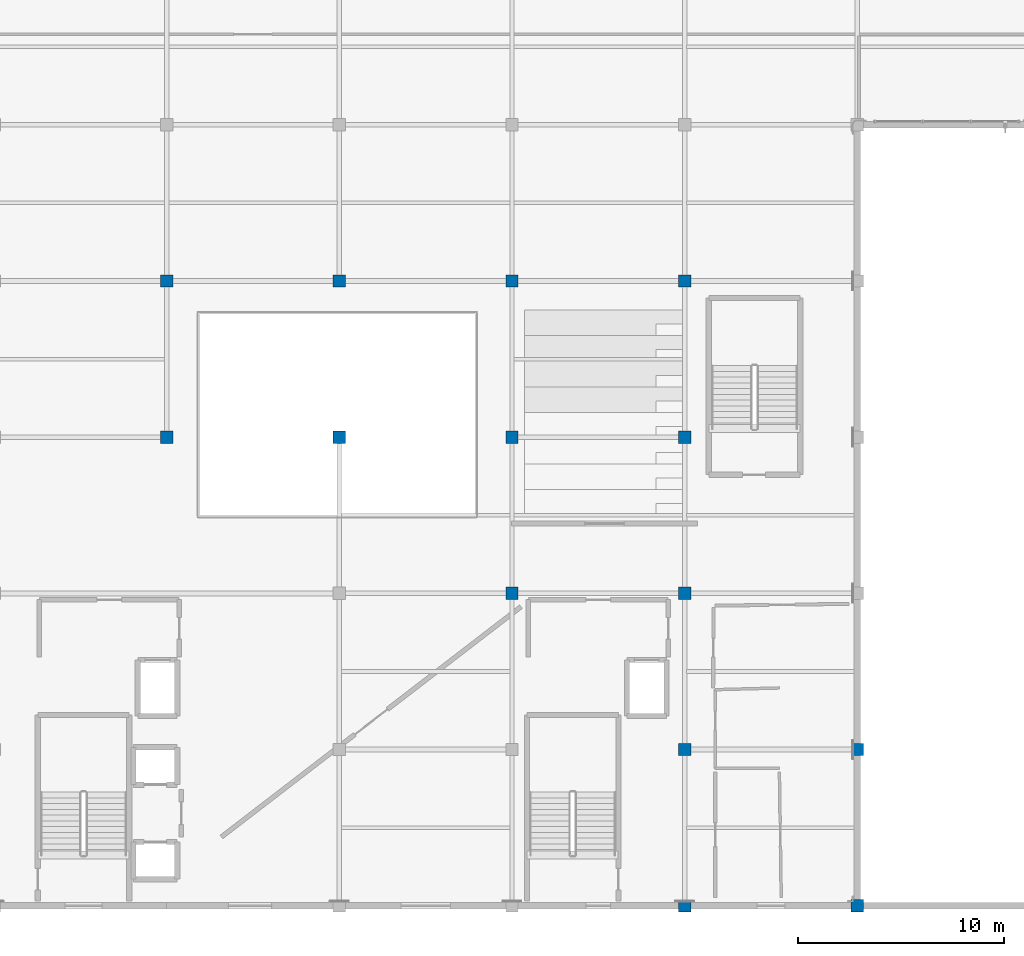
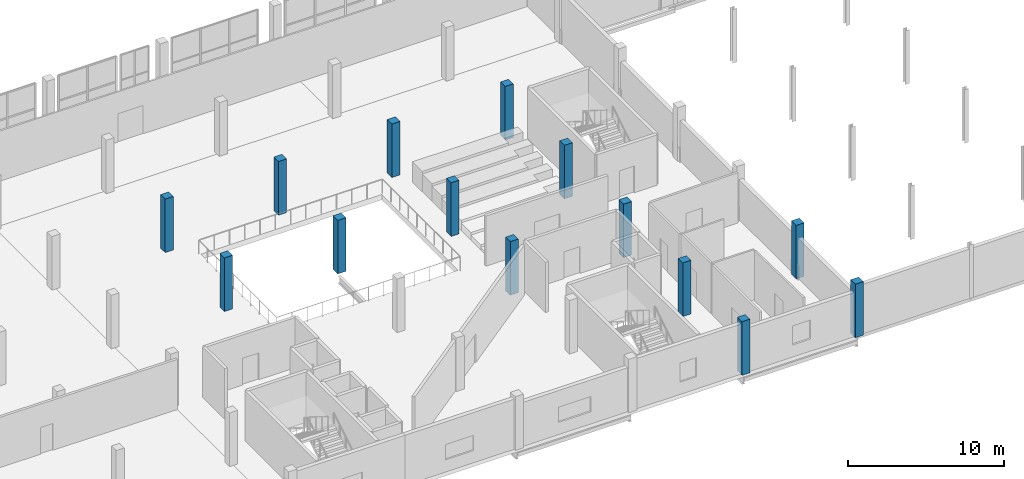
# One storey, part 4 of 217: 14 columns.
"""IFC4 building model written with IfcOpenShell, lengths in metres."""

from ifc_helpers import new_model, si_unit, direction, frame, origin, origin_2d, place, context, subcontext, project, spatial, rectangle, extrude, material, material_profile, profile_set, type_object, element, save


model = new_model("IFC4")

# Units and contexts
model_context = context("Model", 3, precision=1e-05, world=origin(), true_north=direction((0.0, 1.0)))
body_context = subcontext(model_context, "Body", "Model", "MODEL_VIEW")
ifc_project = project(units=[si_unit("LENGTHUNIT", "METRE"), si_unit("AREAUNIT", "SQUARE_METRE"), si_unit("VOLUMEUNIT", "CUBIC_METRE"), si_unit("PLANEANGLEUNIT", "RADIAN"), si_unit("MASSUNIT", "GRAM", prefix="KILO")], contexts=[model_context])

# Site, building, storey
site_placement = place(None, origin())
site = spatial("IfcSite", under=ifc_project, at=site_placement, CompositionType="ELEMENT")
building_placement = place(site_placement, origin())
building = spatial("IfcBuilding", under=site, at=building_placement, Name="Zuvorla Pavilion Media Centre", CompositionType="ELEMENT")
storey_placement = place(building_placement, frame((0.0, 0.0, 9.60009765625)))
storey = spatial("IfcBuildingStorey", under=building, at=storey_placement, Name="L02", CompositionType="ELEMENT", Elevation=9.60009765625)

# Columns
ifc_material = material(Name="Concrete C40/50", Category="concrete")
ifc_material_profile = material_profile(ifc_material, rectangle(XDim=0.60009765625, YDim=0.60009765625, at=origin_2d()), Name="RC 600x600")
ifc_profile_set = profile_set([ifc_material_profile], Name="Concrete C40/50")
column_type = type_object("IfcColumnType", Name="COL-RC600", PredefinedType="COLUMN", material=ifc_profile_set)
for number, where, z_axis, x_axis, name in (
    (1, (100.39990234375, 6.0, 0.0), (0.0, 0.0, 1.0), (1.0, 0.0, 0.0), "L02 column C03 52"),
    (2, (108.800048828125, 6.0, 0.0), (0.0, 0.0, 1.0), (1.0, 0.0, 0.0), "L02 column C03 60"),
    (3, (100.39990234375, 13.60009765625, 0.0), (0.0, 0.0, 1.0), (1.0, 0.0, 0.0), "L02 column C03 150"),
    (4, (108.800048828125, 13.60009765625, 0.0), (0.0, 0.0, 1.0), (1.0, 0.0, 0.0), "L02 column C03 158"),
    (5, (92.0, 21.199951171875, 0.0), (0.0, 0.0, 1.0), (1.0, 0.0, 0.0), "L02 column C03 243"),
    (6, (100.39990234375, 21.199951171875, 0.0), (0.0, 0.0, 1.0), (1.0, 0.0, 0.0), "L02 column C03 251"),
    (7, (75.199951171875, 28.800048828125, 0.0), (0.0, 0.0, 1.0), (1.0, 0.0, 0.0), "L02 column C03 322"),
    (8, (83.60009765625, 28.800048828125, 0.0), (0.0, 0.0, 1.0), (1.0, 0.0, 0.0), "L02 column C03 330"),
    (9, (92.0, 28.800048828125, 0.0), (0.0, 0.0, 1.0), (1.0, 0.0, 0.0), "L02 column C03 338"),
    (10, (100.39990234375, 28.800048828125, 0.0), (0.0, 0.0, 1.0), (1.0, 0.0, 0.0), "L02 column C03 346"),
    (11, (75.199951171875, 36.39990234375, 0.0), (0.0, 0.0, 1.0), (1.0, 0.0, 0.0), "L02 column C03 412"),
    (12, (83.60009765625, 36.39990234375, 0.0), (0.0, 0.0, 1.0), (1.0, 0.0, 0.0), "L02 column C03 420"),
    (13, (92.0, 36.39990234375, 0.0), (0.0, 0.0, 1.0), (1.0, 0.0, 0.0), "L02 column C03 428"),
    (14, (100.39990234375, 36.39990234375, 0.0), (0.0, 0.0, 1.0), (1.0, 0.0, 0.0), "L02 column C03 436"),
):
    element("IfcColumn", number, at=place(storey_placement, frame(where, z_axis=z_axis, x_axis=x_axis)), inside=storey, type_object=column_type, Name=name, PredefinedType="COLUMN", context=body_context, shape_type="SweptSolid", body=[
        extrude(rectangle(XDim=0.60009765625, YDim=0.60009765625, at=origin_2d()), origin(), (0.0, 0.0, 1.0), 4.199951171875),
    ])

save(model, "model.ifc")
